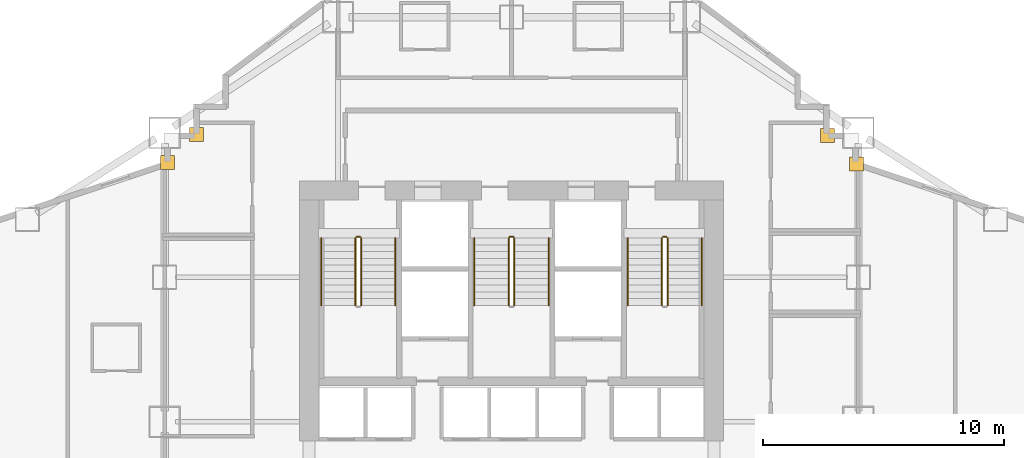
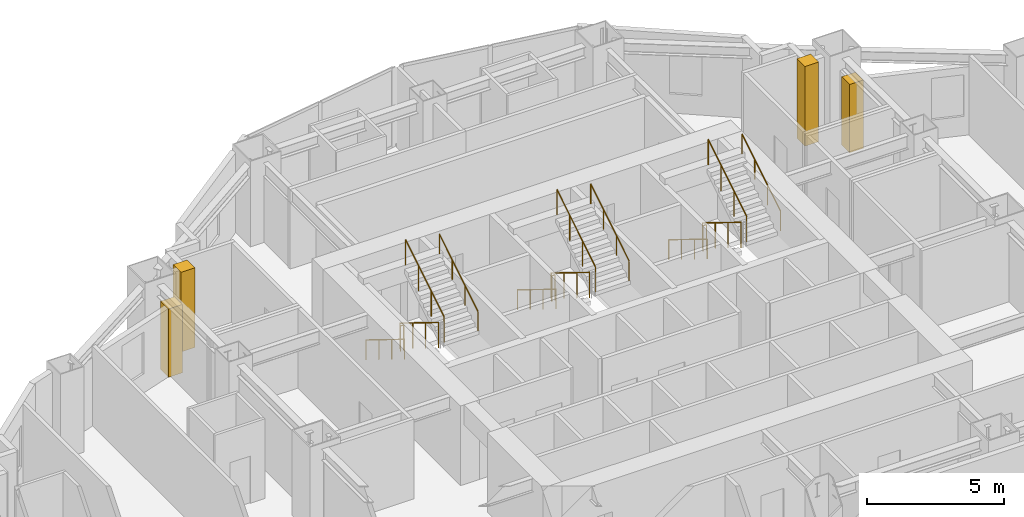
# One storey, part 18 of 19: 15 railings, 4 coverings.
"""IFC4 building model written with IfcOpenShell, lengths in metres."""

from ifc_helpers import new_model, si_unit, direction, frame, origin, origin_2d, place, context, subcontext, project, spatial, rectangle, circle, extrude, material, layer, layer_set, type_object, element, save


model = new_model("IFC4")

# Units and contexts
model_context = context("Model", 3, precision=1e-05, world=origin(), true_north=direction((0.0, 1.0)))
body_context = subcontext(model_context, "Body", "Model", "MODEL_VIEW")
ifc_project = project(units=[si_unit("LENGTHUNIT", "METRE"), si_unit("AREAUNIT", "SQUARE_METRE"), si_unit("VOLUMEUNIT", "CUBIC_METRE"), si_unit("PLANEANGLEUNIT", "RADIAN"), si_unit("MASSUNIT", "GRAM", prefix="KILO")], contexts=[model_context])

# Site, building, storey
site_placement = place(None, origin())
site = spatial("IfcSite", under=ifc_project, at=site_placement, CompositionType="ELEMENT")
building_placement = place(site_placement, origin())
building = spatial("IfcBuilding", under=site, at=building_placement, Name="Haolan Belvedere Tower", CompositionType="ELEMENT")
storey_placement = place(building_placement, frame((0.0, 0.0, 39.199951171875)))
storey = spatial("IfcBuildingStorey", under=building, at=storey_placement, Name="L09", CompositionType="ELEMENT", Elevation=39.199951171875)

# Coverings
ifc_material_1 = material(Name="Pale champagne-silver anodised aluminium rainscreen cladding", Category="aluminium")
ifc_layer = layer(ifc_material_1, 0.034912109375, Name="Pale champagne-silver anodised aluminium rainscreen cladding")
ifc_layer_set = layer_set([ifc_layer], Name="Pale champagne-silver anodised aluminium rainscreen cladding")
covering_type = type_object("IfcCoveringType", Name="COV-CLAD-35", PredefinedType="CLADDING", material=ifc_layer_set)
covering_1_placement = place(storey_placement, frame((52.72021484375, 44.300048828125, 0.0), z_axis=(0.0, 0.0, 1.0), x_axis=(1.0, 0.0, 0.0)))
element("IfcCovering", 1, at=covering_1_placement, inside=storey, type_object=covering_type, Name="L09 pale-metal serrated corner cladding trim 8", PredefinedType="CLADDING", context=body_context, shape_type="SweptSolid", body=[
    extrude(rectangle(XDim=0.580078125, YDim=0.580078125, at=origin_2d()), origin(), (0.0, 0.0, 1.0), 3.037109375),
])
for number, where, z_axis, x_axis, name in (
    (2, (51.5224609375, 45.47998046875, 0.0), (0.0, 0.0, 1.0), (1.0, 0.0, 0.0), "L09 pale-metal serrated corner cladding trim 9"),
    (3, (25.320068359375, 45.5224609375, 0.0), (0.0, 0.0, 1.0), (1.0, 0.0, 0.0), "L09 pale-metal serrated corner cladding trim 10"),
):
    element("IfcCovering", number, at=place(storey_placement, frame(where, z_axis=z_axis, x_axis=x_axis)), inside=storey, type_object=covering_type, Name=name, PredefinedType="CLADDING", context=body_context, shape_type="SweptSolid", body=[
        extrude(rectangle(XDim=0.580078125, YDim=0.580078125, at=origin_2d()), origin(), (0.0, 0.0, 1.0), 3.5400390625),
    ])
covering_2_placement = place(storey_placement, frame((24.1201171875, 44.35595703125, 0.0), z_axis=(0.0, 0.0, 1.0), x_axis=(1.0, 0.0, 0.0)))
element("IfcCovering", 4, at=covering_2_placement, inside=storey, type_object=covering_type, Name="L09 pale-metal serrated corner cladding trim 11", PredefinedType="CLADDING", context=body_context, shape_type="SweptSolid", body=[
    extrude(rectangle(XDim=0.580078125, YDim=0.580078125, at=origin_2d()), origin(), (0.0, 0.0, 1.0), 3.037109375),
])

# Railings
ifc_material_2 = material(Name="Brushed stainless steel 304", Category="steel")
railing_type_1 = type_object("IfcRailingType", Name="RL-STAIR-GRD-1150", PredefinedType="GUARDRAIL", material=ifc_material_2)
railing_1_placement = place(storey_placement, frame((31.919921875, 41.22998046875, 0.1728515625)))
element("IfcRailing", 5, at=railing_1_placement, inside=storey, type_object=railing_type_1, Name="L09 ST1 stair guard 1", PredefinedType="GUARDRAIL", context=body_context, shape_type="SweptSolid", body=[
    extrude(circle(Radius=0.02392578125, at=origin_2d()), frame((0.0, 0.0, 1.1259765625), z_axis=(0.0, -0.851089632645, 0.525020415988), x_axis=(1.0, 0.0, 0.0)), (0.0, 0.0, 1.0), 3.2900390625),
    extrude(circle(Radius=0.02099609375, at=origin_2d()), origin(), (0.0, 0.0, 1.0), 1.101806640625),
    extrude(circle(Radius=0.02099609375, at=origin_2d()), frame((0.0, -0.933349609375, 0.57568359375)), (0.0, 0.0, 1.0), 1.101806640625),
    extrude(circle(Radius=0.02099609375, at=origin_2d()), frame((0.0, -1.86669921875, 1.151611328125)), (0.0, 0.0, 1.0), 1.101806640625),
    extrude(circle(Radius=0.02099609375, at=origin_2d()), frame((0.0, -2.800048828125, 1.727294921875)), (0.0, 0.0, 1.0), 1.101806640625),
])
railing_2_placement = place(storey_placement, frame((32.159912109375, 38.429931640625, 2.07275390625)))
element("IfcRailing", 6, at=railing_2_placement, inside=storey, type_object=railing_type_1, Name="L09 ST1 stair guard 3", PredefinedType="GUARDRAIL", context=body_context, shape_type="SweptSolid", body=[
    extrude(circle(Radius=0.02392578125, at=origin_2d()), frame((0.0, 0.0, 1.1259765625), z_axis=(0.0, 0.851089632645, 0.525020415988), x_axis=(-1.0, 0.0, 0.0)), (0.0, 0.0, 1.0), 3.2900390625),
    extrude(circle(Radius=0.02099609375, at=origin_2d()), origin(), (0.0, 0.0, 1.0), 1.101806640625),
    extrude(circle(Radius=0.02099609375, at=origin_2d()), frame((0.0, 0.933349609375, 0.57568359375)), (0.0, 0.0, 1.0), 1.101806640625),
    extrude(circle(Radius=0.02099609375, at=origin_2d()), frame((0.0, 1.86669921875, 1.151611328125)), (0.0, 0.0, 1.0), 1.101806640625),
    extrude(circle(Radius=0.02099609375, at=origin_2d()), frame((0.0, 2.800048828125, 1.727294921875)), (0.0, 0.0, 1.0), 1.101806640625),
])
railing_3_placement = place(storey_placement, frame((31.969970703125, 41.280029296875, 0.0)))
element("IfcRailing", 7, at=railing_3_placement, inside=storey, type_object=railing_type_1, Name="L09 ST1 stair guard 4", PredefinedType="GUARDRAIL", context=body_context, shape_type="SweptSolid", body=[
    extrude(circle(Radius=0.02392578125, at=origin_2d()), frame((0.0, 0.0, 1.1259765625), z_axis=(1.0, 0.0, 0.0), x_axis=(0.0, 1.0, 0.0)), (0.0, 0.0, 1.0), 0.14013671875),
    extrude(circle(Radius=0.02099609375, at=origin_2d()), origin(), (0.0, 0.0, 1.0), 1.101806640625),
    extrude(circle(Radius=0.02099609375, at=origin_2d()), frame((0.14013671875, 0.0, 0.0)), (0.0, 0.0, 1.0), 1.101806640625),
])
railing_4_placement = place(storey_placement, frame((38.280029296875, 41.22998046875, 0.1728515625)))
element("IfcRailing", 8, at=railing_4_placement, inside=storey, type_object=railing_type_1, Name="L09 ST3 stair guard 1", PredefinedType="GUARDRAIL", context=body_context, shape_type="SweptSolid", body=[
    extrude(circle(Radius=0.02392578125, at=origin_2d()), frame((0.0, 0.0, 1.1259765625), z_axis=(0.0, -0.851089632645, 0.525020415988), x_axis=(1.0, 0.0, 0.0)), (0.0, 0.0, 1.0), 3.2900390625),
    extrude(circle(Radius=0.02099609375, at=origin_2d()), origin(), (0.0, 0.0, 1.0), 1.101806640625),
    extrude(circle(Radius=0.02099609375, at=origin_2d()), frame((0.0, -0.933349609375, 0.57568359375)), (0.0, 0.0, 1.0), 1.101806640625),
    extrude(circle(Radius=0.02099609375, at=origin_2d()), frame((0.0, -1.86669921875, 1.151611328125)), (0.0, 0.0, 1.0), 1.101806640625),
    extrude(circle(Radius=0.02099609375, at=origin_2d()), frame((0.0, -2.800048828125, 1.727294921875)), (0.0, 0.0, 1.0), 1.101806640625),
])
railing_5_placement = place(storey_placement, frame((38.52001953125, 38.429931640625, 2.07275390625)))
element("IfcRailing", 9, at=railing_5_placement, inside=storey, type_object=railing_type_1, Name="L09 ST3 stair guard 3", PredefinedType="GUARDRAIL", context=body_context, shape_type="SweptSolid", body=[
    extrude(circle(Radius=0.02392578125, at=origin_2d()), frame((0.0, 0.0, 1.1259765625), z_axis=(0.0, 0.851089632645, 0.525020415988), x_axis=(-1.0, 0.0, 0.0)), (0.0, 0.0, 1.0), 3.2900390625),
    extrude(circle(Radius=0.02099609375, at=origin_2d()), origin(), (0.0, 0.0, 1.0), 1.101806640625),
    extrude(circle(Radius=0.02099609375, at=origin_2d()), frame((0.0, 0.933349609375, 0.57568359375)), (0.0, 0.0, 1.0), 1.101806640625),
    extrude(circle(Radius=0.02099609375, at=origin_2d()), frame((0.0, 1.86669921875, 1.151611328125)), (0.0, 0.0, 1.0), 1.101806640625),
    extrude(circle(Radius=0.02099609375, at=origin_2d()), frame((0.0, 2.800048828125, 1.727294921875)), (0.0, 0.0, 1.0), 1.101806640625),
])
railing_6_placement = place(storey_placement, frame((38.330078125, 41.280029296875, 0.0)))
element("IfcRailing", 10, at=railing_6_placement, inside=storey, type_object=railing_type_1, Name="L09 ST3 stair guard 4", PredefinedType="GUARDRAIL", context=body_context, shape_type="SweptSolid", body=[
    extrude(circle(Radius=0.02392578125, at=origin_2d()), frame((0.0, 0.0, 1.1259765625), z_axis=(1.0, 0.0, 0.0), x_axis=(0.0, 1.0, 0.0)), (0.0, 0.0, 1.0), 0.139892578125),
    extrude(circle(Radius=0.02099609375, at=origin_2d()), origin(), (0.0, 0.0, 1.0), 1.101806640625),
    extrude(circle(Radius=0.02099609375, at=origin_2d()), frame((0.139892578125, 0.0, 0.0)), (0.0, 0.0, 1.0), 1.101806640625),
])
railing_7_placement = place(storey_placement, frame((44.639892578125, 41.22998046875, 0.1728515625)))
element("IfcRailing", 11, at=railing_7_placement, inside=storey, type_object=railing_type_1, Name="L09 ST2 stair guard 1", PredefinedType="GUARDRAIL", context=body_context, shape_type="SweptSolid", body=[
    extrude(circle(Radius=0.02392578125, at=origin_2d()), frame((0.0, 0.0, 1.1259765625), z_axis=(0.0, -0.851089632645, 0.525020415988), x_axis=(1.0, 0.0, 0.0)), (0.0, 0.0, 1.0), 3.2900390625),
    extrude(circle(Radius=0.02099609375, at=origin_2d()), origin(), (0.0, 0.0, 1.0), 1.101806640625),
    extrude(circle(Radius=0.02099609375, at=origin_2d()), frame((0.0, -0.933349609375, 0.57568359375)), (0.0, 0.0, 1.0), 1.101806640625),
    extrude(circle(Radius=0.02099609375, at=origin_2d()), frame((0.0, -1.86669921875, 1.151611328125)), (0.0, 0.0, 1.0), 1.101806640625),
    extrude(circle(Radius=0.02099609375, at=origin_2d()), frame((0.0, -2.800048828125, 1.727294921875)), (0.0, 0.0, 1.0), 1.101806640625),
])
railing_8_placement = place(storey_placement, frame((44.8798828125, 38.429931640625, 2.07275390625)))
element("IfcRailing", 12, at=railing_8_placement, inside=storey, type_object=railing_type_1, Name="L09 ST2 stair guard 3", PredefinedType="GUARDRAIL", context=body_context, shape_type="SweptSolid", body=[
    extrude(circle(Radius=0.02392578125, at=origin_2d()), frame((0.0, 0.0, 1.1259765625), z_axis=(0.0, 0.851089632645, 0.525020415988), x_axis=(-1.0, 0.0, 0.0)), (0.0, 0.0, 1.0), 3.2900390625),
    extrude(circle(Radius=0.02099609375, at=origin_2d()), origin(), (0.0, 0.0, 1.0), 1.101806640625),
    extrude(circle(Radius=0.02099609375, at=origin_2d()), frame((0.0, 0.933349609375, 0.57568359375)), (0.0, 0.0, 1.0), 1.101806640625),
    extrude(circle(Radius=0.02099609375, at=origin_2d()), frame((0.0, 1.86669921875, 1.151611328125)), (0.0, 0.0, 1.0), 1.101806640625),
    extrude(circle(Radius=0.02099609375, at=origin_2d()), frame((0.0, 2.800048828125, 1.727294921875)), (0.0, 0.0, 1.0), 1.101806640625),
])
railing_9_placement = place(storey_placement, frame((44.68994140625, 41.280029296875, 0.0)))
element("IfcRailing", 13, at=railing_9_placement, inside=storey, type_object=railing_type_1, Name="L09 ST2 stair guard 4", PredefinedType="GUARDRAIL", context=body_context, shape_type="SweptSolid", body=[
    extrude(circle(Radius=0.02392578125, at=origin_2d()), frame((0.0, 0.0, 1.1259765625), z_axis=(1.0, 0.0, 0.0), x_axis=(0.0, 1.0, 0.0)), (0.0, 0.0, 1.0), 0.14013671875),
    extrude(circle(Radius=0.02099609375, at=origin_2d()), origin(), (0.0, 0.0, 1.0), 1.101806640625),
    extrude(circle(Radius=0.02099609375, at=origin_2d()), frame((0.14013671875, 0.0, 0.0)), (0.0, 0.0, 1.0), 1.101806640625),
])
railing_type_2 = type_object("IfcRailingType", Name="RL-STAIR-HND-900", PredefinedType="HANDRAIL", material=ifc_material_2)
railing_10_placement = place(storey_placement, frame((30.5, 41.22998046875, 0.1728515625)))
element("IfcRailing", 14, at=railing_10_placement, inside=storey, type_object=railing_type_2, Name="L09 ST1 stair handrail 1", PredefinedType="HANDRAIL", context=body_context, shape_type="SweptSolid", body=[
    extrude(circle(Radius=0.02392578125, at=origin_2d()), frame((0.0, 0.0, 0.8759765625), z_axis=(0.0, -0.851089632645, 0.525020415988), x_axis=(1.0, 0.0, 0.0)), (0.0, 0.0, 1.0), 3.2900390625),
    extrude(circle(Radius=0.02099609375, at=origin_2d()), origin(), (0.0, 0.0, 1.0), 0.851806640625),
    extrude(circle(Radius=0.02099609375, at=origin_2d()), frame((0.0, -0.933349609375, 0.57568359375)), (0.0, 0.0, 1.0), 0.851806640625),
    extrude(circle(Radius=0.02099609375, at=origin_2d()), frame((0.0, -1.86669921875, 1.151611328125)), (0.0, 0.0, 1.0), 0.851806640625),
    extrude(circle(Radius=0.02099609375, at=origin_2d()), frame((0.0, -2.800048828125, 1.727294921875)), (0.0, 0.0, 1.0), 0.851806640625),
])
railing_11_placement = place(storey_placement, frame((33.580078125, 38.429931640625, 2.07275390625)))
element("IfcRailing", 15, at=railing_11_placement, inside=storey, type_object=railing_type_2, Name="L09 ST1 stair handrail 2", PredefinedType="HANDRAIL", context=body_context, shape_type="SweptSolid", body=[
    extrude(circle(Radius=0.02392578125, at=origin_2d()), frame((0.0, 0.0, 0.8759765625), z_axis=(0.0, 0.851089632645, 0.525020415988), x_axis=(-1.0, 0.0, 0.0)), (0.0, 0.0, 1.0), 3.2900390625),
    extrude(circle(Radius=0.02099609375, at=origin_2d()), origin(), (0.0, 0.0, 1.0), 0.851806640625),
    extrude(circle(Radius=0.02099609375, at=origin_2d()), frame((0.0, 0.933349609375, 0.57568359375)), (0.0, 0.0, 1.0), 0.851806640625),
    extrude(circle(Radius=0.02099609375, at=origin_2d()), frame((0.0, 1.86669921875, 1.151611328125)), (0.0, 0.0, 1.0), 0.851806640625),
    extrude(circle(Radius=0.02099609375, at=origin_2d()), frame((0.0, 2.800048828125, 1.727294921875)), (0.0, 0.0, 1.0), 0.851806640625),
])
railing_12_placement = place(storey_placement, frame((36.860107421875, 41.22998046875, 0.1728515625)))
element("IfcRailing", 16, at=railing_12_placement, inside=storey, type_object=railing_type_2, Name="L09 ST3 stair handrail 1", PredefinedType="HANDRAIL", context=body_context, shape_type="SweptSolid", body=[
    extrude(circle(Radius=0.02392578125, at=origin_2d()), frame((0.0, 0.0, 0.8759765625), z_axis=(0.0, -0.851089632645, 0.525020415988), x_axis=(1.0, 0.0, 0.0)), (0.0, 0.0, 1.0), 3.2900390625),
    extrude(circle(Radius=0.02099609375, at=origin_2d()), origin(), (0.0, 0.0, 1.0), 0.851806640625),
    extrude(circle(Radius=0.02099609375, at=origin_2d()), frame((0.0, -0.933349609375, 0.57568359375)), (0.0, 0.0, 1.0), 0.851806640625),
    extrude(circle(Radius=0.02099609375, at=origin_2d()), frame((0.0, -1.86669921875, 1.151611328125)), (0.0, 0.0, 1.0), 0.851806640625),
    extrude(circle(Radius=0.02099609375, at=origin_2d()), frame((0.0, -2.800048828125, 1.727294921875)), (0.0, 0.0, 1.0), 0.851806640625),
])
railing_13_placement = place(storey_placement, frame((39.93994140625, 38.429931640625, 2.07275390625)))
element("IfcRailing", 17, at=railing_13_placement, inside=storey, type_object=railing_type_2, Name="L09 ST3 stair handrail 2", PredefinedType="HANDRAIL", context=body_context, shape_type="SweptSolid", body=[
    extrude(circle(Radius=0.02392578125, at=origin_2d()), frame((0.0, 0.0, 0.8759765625), z_axis=(0.0, 0.851089632645, 0.525020415988), x_axis=(-1.0, 0.0, 0.0)), (0.0, 0.0, 1.0), 3.2900390625),
    extrude(circle(Radius=0.02099609375, at=origin_2d()), origin(), (0.0, 0.0, 1.0), 0.851806640625),
    extrude(circle(Radius=0.02099609375, at=origin_2d()), frame((0.0, 0.933349609375, 0.57568359375)), (0.0, 0.0, 1.0), 0.851806640625),
    extrude(circle(Radius=0.02099609375, at=origin_2d()), frame((0.0, 1.86669921875, 1.151611328125)), (0.0, 0.0, 1.0), 0.851806640625),
    extrude(circle(Radius=0.02099609375, at=origin_2d()), frame((0.0, 2.800048828125, 1.727294921875)), (0.0, 0.0, 1.0), 0.851806640625),
])
railing_14_placement = place(storey_placement, frame((43.219970703125, 41.22998046875, 0.1728515625)))
element("IfcRailing", 18, at=railing_14_placement, inside=storey, type_object=railing_type_2, Name="L09 ST2 stair handrail 1", PredefinedType="HANDRAIL", context=body_context, shape_type="SweptSolid", body=[
    extrude(circle(Radius=0.02392578125, at=origin_2d()), frame((0.0, 0.0, 0.8759765625), z_axis=(0.0, -0.851089632645, 0.525020415988), x_axis=(1.0, 0.0, 0.0)), (0.0, 0.0, 1.0), 3.2900390625),
    extrude(circle(Radius=0.02099609375, at=origin_2d()), origin(), (0.0, 0.0, 1.0), 0.851806640625),
    extrude(circle(Radius=0.02099609375, at=origin_2d()), frame((0.0, -0.933349609375, 0.57568359375)), (0.0, 0.0, 1.0), 0.851806640625),
    extrude(circle(Radius=0.02099609375, at=origin_2d()), frame((0.0, -1.86669921875, 1.151611328125)), (0.0, 0.0, 1.0), 0.851806640625),
    extrude(circle(Radius=0.02099609375, at=origin_2d()), frame((0.0, -2.800048828125, 1.727294921875)), (0.0, 0.0, 1.0), 0.851806640625),
])
railing_15_placement = place(storey_placement, frame((46.300048828125, 38.429931640625, 2.07275390625)))
element("IfcRailing", 19, at=railing_15_placement, inside=storey, type_object=railing_type_2, Name="L09 ST2 stair handrail 2", PredefinedType="HANDRAIL", context=body_context, shape_type="SweptSolid", body=[
    extrude(circle(Radius=0.02392578125, at=origin_2d()), frame((0.0, 0.0, 0.8759765625), z_axis=(0.0, 0.851089632645, 0.525020415988), x_axis=(-1.0, 0.0, 0.0)), (0.0, 0.0, 1.0), 3.2900390625),
    extrude(circle(Radius=0.02099609375, at=origin_2d()), origin(), (0.0, 0.0, 1.0), 0.851806640625),
    extrude(circle(Radius=0.02099609375, at=origin_2d()), frame((0.0, 0.933349609375, 0.57568359375)), (0.0, 0.0, 1.0), 0.851806640625),
    extrude(circle(Radius=0.02099609375, at=origin_2d()), frame((0.0, 1.86669921875, 1.151611328125)), (0.0, 0.0, 1.0), 0.851806640625),
    extrude(circle(Radius=0.02099609375, at=origin_2d()), frame((0.0, 2.800048828125, 1.727294921875)), (0.0, 0.0, 1.0), 0.851806640625),
])

save(model, "model.ifc")
